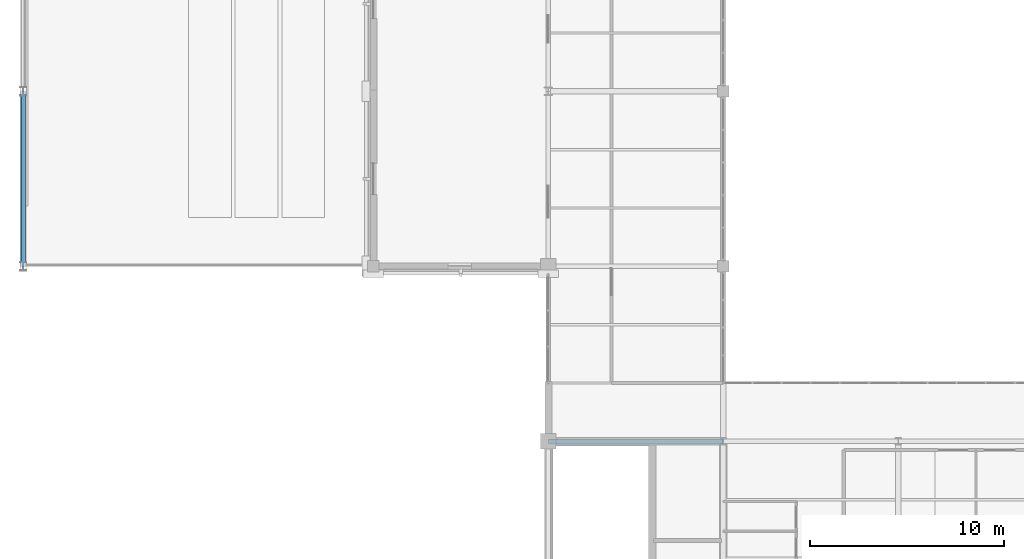
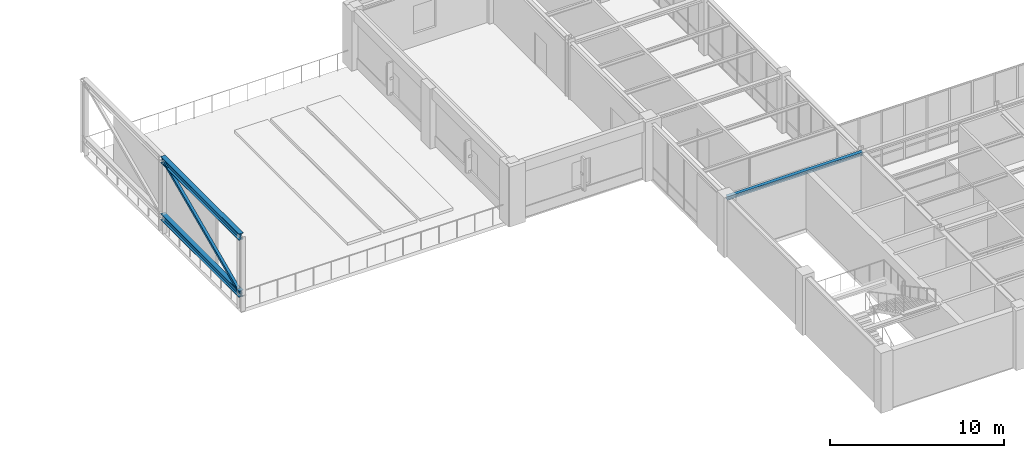
# One storey, part 13 of 97: 3 members, 1 beam.
"""IFC4 building model written with IfcOpenShell, lengths in metres."""

from ifc_helpers import new_model, si_unit, direction, frame, origin, origin_2d, place, context, subcontext, project, spatial, hollow_rectangle, i_section, extrude, material, material_profile, profile_set, type_object, element, save


model = new_model("IFC4")

# Units and contexts
model_context = context("Model", 3, precision=1e-05, world=origin(), true_north=direction((0.0, 1.0)))
body_context = subcontext(model_context, "Body", "Model", "MODEL_VIEW")
ifc_project = project(units=[si_unit("LENGTHUNIT", "METRE"), si_unit("AREAUNIT", "SQUARE_METRE"), si_unit("VOLUMEUNIT", "CUBIC_METRE"), si_unit("PLANEANGLEUNIT", "RADIAN"), si_unit("MASSUNIT", "GRAM", prefix="KILO")], contexts=[model_context])

# Site, building, storey
site_placement = place(None, origin())
site = spatial("IfcSite", under=ifc_project, at=site_placement, CompositionType="ELEMENT")
building_placement = place(site_placement, origin())
building = spatial("IfcBuilding", under=site, at=building_placement, Name="Lykobir Media Centre", CompositionType="ELEMENT")
storey_placement = place(building_placement, frame((0.0, 0.0, 23.39990234375)))
storey = spatial("IfcBuildingStorey", under=building, at=storey_placement, Name="L05", CompositionType="ELEMENT", Elevation=23.39990234375)

# Member
ifc_material = material(Name="Steel S355", Category="steel")
ifc_material_profile_1 = material_profile(ifc_material, hollow_rectangle(XDim=0.179931640625, YDim=0.179931640625, WallThickness=0.010009765625, at=origin_2d()), Name="SHS 180x180x10")
ifc_profile_set_1 = profile_set([ifc_material_profile_1], Name="Steel S355")
member_type_1 = type_object("IfcMemberType", Name="BR-SHS180-E", PredefinedType="BRACE", material=ifc_profile_set_1)
member_placement = place(storey_placement, frame((0.0, 27.0, 1.10009765625), z_axis=(0.0, 0.91381154862, 0.406138466053), x_axis=(-1.0, 0.0, 0.0)))
element("IfcMember", 1, at=member_placement, inside=storey, type_object=member_type_1, Name="Diagonal brace MEM2-L05-0000-0270-0245-0000-0360-0138", PredefinedType="BRACE", context=body_context, shape_type="SweptSolid", body=[
    extrude(hollow_rectangle(XDim=0.179931640625, YDim=0.179931640625, WallThickness=0.010009765625, at=origin_2d()), origin(), (0.0, 0.0, 1.0), 9.848876953125),
])

# Beam
ifc_material_profile_2 = material_profile(ifc_material, i_section(OverallWidth=0.239990234375, OverallDepth=0.22998046875, WebThickness=0.007568359375, FlangeThickness=0.011962890625, at=origin_2d()), Name="HEA 240")
ifc_profile_set_2 = profile_set([ifc_material_profile_2], Name="Steel S355")
beam_type = type_object("IfcBeamType", Name="SP-HEA240", PredefinedType="SPANDREL", material=ifc_profile_set_2)
beam_placement = place(storey_placement, frame((27.0, 18.0, 3.84521484375), z_axis=(1.0, 0.0, 0.0), x_axis=(0.0, 1.0, 0.0)))
element("IfcBeam", 2, at=beam_placement, inside=storey, type_object=beam_type, Name="Beam BM-L05-0270-0180-0360-0180-2724", PredefinedType="SPANDREL", context=body_context, shape_type="SweptSolid", body=[
    extrude(i_section(OverallWidth=0.239990234375, OverallDepth=0.22998046875, WebThickness=0.007568359375, FlangeThickness=0.011962890625, at=origin_2d()), origin(), (0.0, 0.0, 1.0), 9.0),
])

# Members
ifc_material_profile_3 = material_profile(ifc_material, i_section(OverallWidth=0.300048828125, OverallDepth=0.43994140625, WebThickness=0.011474609375, FlangeThickness=0.02099609375, at=origin_2d()), Name="HEA 450")
ifc_profile_set_3 = profile_set([ifc_material_profile_3], Name="Steel S355")
member_type_2 = type_object("IfcMemberType", Name="TC-HEA450-E", PredefinedType="CHORD", material=ifc_profile_set_3)
for number, where, z_axis, x_axis, name in (
    (3, (0.0, 27.0, 5.10009765625), (0.0, 1.0, 0.0), (-1.0, 0.0, 0.0), "Truss chord MEM2-L05-0000-0270-0285-0000-0360-0136"),
    (4, (0.0, 27.0, 1.10009765625), (0.0, 1.0, 0.0), (-1.0, 0.0, 0.0), "Truss chord MEM2-L05-0000-0270-0245-0000-0360-0137"),
):
    element("IfcMember", number, at=place(storey_placement, frame(where, z_axis=z_axis, x_axis=x_axis)), inside=storey, type_object=member_type_2, Name=name, PredefinedType="CHORD", context=body_context, shape_type="SweptSolid", body=[
        extrude(i_section(OverallWidth=0.300048828125, OverallDepth=0.43994140625, WebThickness=0.011474609375, FlangeThickness=0.02099609375, at=origin_2d()), origin(), (0.0, 0.0, 1.0), 9.0),
    ])

save(model, "model.ifc")
